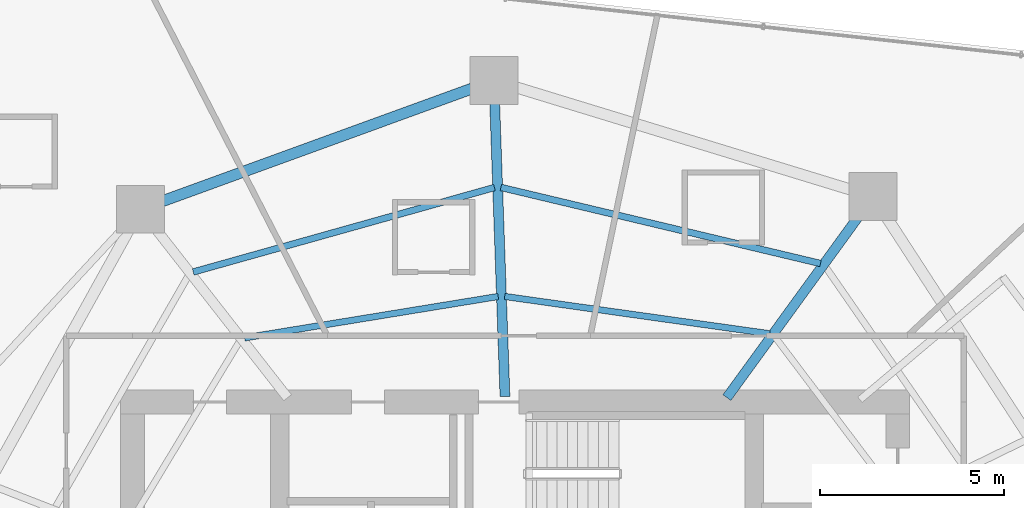
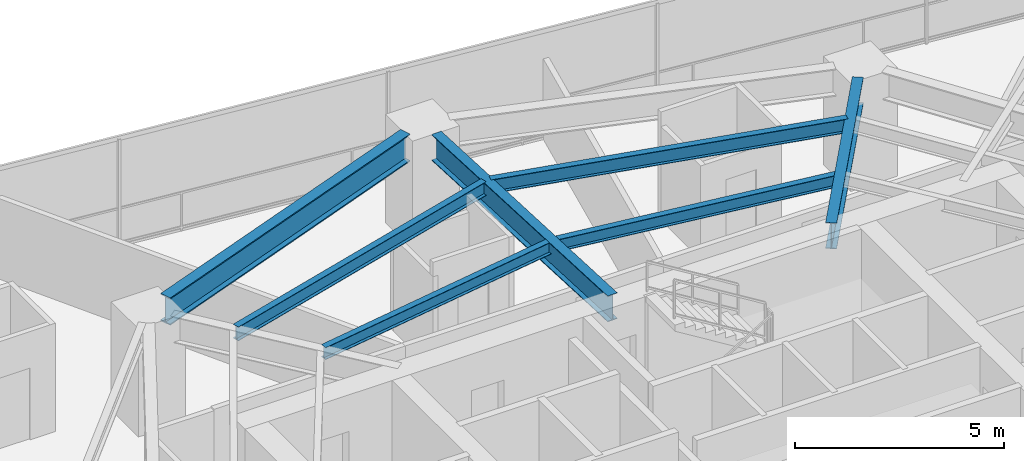
# One storey, part 17 of 28: 7 beams.
"""IFC4 building model written with IfcOpenShell, lengths in metres."""

from ifc_helpers import new_model, si_unit, direction, frame, origin, origin_2d, place, context, subcontext, project, spatial, i_section, extrude, material, material_profile, profile_set, type_object, element, save


model = new_model("IFC4")

# Units and contexts
model_context = context("Model", 3, precision=1e-05, world=origin(), true_north=direction((0.0, 1.0)))
body_context = subcontext(model_context, "Body", "Model", "MODEL_VIEW")
ifc_project = project(units=[si_unit("LENGTHUNIT", "METRE"), si_unit("AREAUNIT", "SQUARE_METRE"), si_unit("VOLUMEUNIT", "CUBIC_METRE"), si_unit("PLANEANGLEUNIT", "RADIAN"), si_unit("MASSUNIT", "GRAM", prefix="KILO")], contexts=[model_context])

# Site, building, storey
site_placement = place(None, origin())
site = spatial("IfcSite", under=ifc_project, at=site_placement, CompositionType="ELEMENT")
building_placement = place(site_placement, origin())
building = spatial("IfcBuilding", under=site, at=building_placement, Name="Qarnah Convention Tower", CompositionType="ELEMENT")
storey_placement = place(building_placement, frame((0.0, 0.0, 44.25)))
storey = spatial("IfcBuildingStorey", under=building, at=storey_placement, Name="L10", CompositionType="ELEMENT", Elevation=44.25)

# Beams
ifc_material = material(Name="Structural steel S355JR", Category="steel")
ifc_material_profile_1 = material_profile(ifc_material, i_section(OverallWidth=0.172119140625, OverallDepth=0.35595703125, WebThickness=0.007080078125, FlangeThickness=0.011962890625, at=origin_2d()), Name="W360X51")
ifc_profile_set_1 = profile_set([ifc_material_profile_1], Name="Structural steel S355JR")
beam_type_1 = type_object("IfcBeamType", Name="BM-JST-W360", PredefinedType="JOIST", material=ifc_profile_set_1)
beam_1_placement = place(storey_placement, frame((44.117919921875, 36.056884765625, 2.991943359375), z_axis=(-0.990232771612, 0.139424022414, 0.0), x_axis=(-0.139424022414, -0.990232771612, 0.0)))
element("IfcBeam", 1, at=beam_1_placement, inside=storey, type_object=beam_type_1, Name="L10 joist BM-L10-IJST-02", PredefinedType="JOIST", context=body_context, shape_type="SweptSolid", body=[
    extrude(i_section(OverallWidth=0.172119140625, OverallDepth=0.35595703125, WebThickness=0.007080078125, FlangeThickness=0.011962890625, at=origin_2d()), origin(), (0.0, 0.0, 1.0), 7.27392578125),
])
beam_2_placement = place(storey_placement, frame((36.737060546875, 37.070068359375, 2.991943359375), z_axis=(-0.986919717952, -0.161212500503, 0.0), x_axis=(0.161212500503, -0.986919717952, 0.0)))
element("IfcBeam", 2, at=beam_2_placement, inside=storey, type_object=beam_type_1, Name="L10 joist BM-L10-IJST-03", PredefinedType="JOIST", context=body_context, shape_type="SweptSolid", body=[
    extrude(i_section(OverallWidth=0.172119140625, OverallDepth=0.35595703125, WebThickness=0.007080078125, FlangeThickness=0.011962890625, at=origin_2d()), origin(), (0.0, 0.0, 1.0), 6.984375),
])
ifc_material_profile_2 = material_profile(ifc_material, i_section(OverallWidth=0.177978515625, OverallDepth=0.407958984375, WebThickness=0.008056640625, FlangeThickness=0.012939453125, at=origin_2d()), Name="W410X60")
ifc_profile_set_2 = profile_set([ifc_material_profile_2], Name="Structural steel S355JR")
beam_type_2 = type_object("IfcBeamType", Name="BM-JST-W410", PredefinedType="JOIST", material=ifc_profile_set_2)
beam_3_placement = place(storey_placement, frame((45.5, 37.966064453125, 2.966064453125), z_axis=(-0.972805041554, 0.231625454401, 0.0), x_axis=(-0.231625454401, -0.972805041554, 0.0)))
element("IfcBeam", 3, at=beam_3_placement, inside=storey, type_object=beam_type_2, Name="L10 joist BM-L10-SJST-02", PredefinedType="JOIST", context=body_context, shape_type="SweptSolid", body=[
    extrude(i_section(OverallWidth=0.177978515625, OverallDepth=0.407958984375, WebThickness=0.008056640625, FlangeThickness=0.012939453125, at=origin_2d()), origin(), (0.0, 0.0, 1.0), 8.931884765625),
])
beam_4_placement = place(storey_placement, frame((36.635986328125, 40.031982421875, 2.966064453125), z_axis=(-0.962855992526, -0.270015439665, 0.0), x_axis=(0.270015439665, -0.962855992526, 0.0)))
element("IfcBeam", 4, at=beam_4_placement, inside=storey, type_object=beam_type_2, Name="L10 joist BM-L10-SJST-03", PredefinedType="JOIST", context=body_context, shape_type="SweptSolid", body=[
    extrude(i_section(OverallWidth=0.177978515625, OverallDepth=0.407958984375, WebThickness=0.008056640625, FlangeThickness=0.012939453125, at=origin_2d()), origin(), (0.0, 0.0, 1.0), 8.5029296875),
])
ifc_material_profile_3 = material_profile(ifc_material, i_section(OverallWidth=0.26806640625, OverallDepth=0.760009765625, WebThickness=0.014892578125, FlangeThickness=0.02197265625, at=origin_2d()), Name="W760X185")
ifc_profile_set_3 = profile_set([ifc_material_profile_3], Name="Structural steel S355JR")
beam_type_3 = type_object("IfcBeamType", Name="BM-RAD-W760", PredefinedType="BEAM", material=ifc_profile_set_3)
beam_5_placement = place(storey_placement, frame((42.955078125, 34.321044921875, 2.7900390625), z_axis=(0.587873224058, 0.808953071837, 0.0), x_axis=(-0.808953071837, 0.587873224058, 0.0)))
element("IfcBeam", 5, at=beam_5_placement, inside=storey, type_object=beam_type_3, Name="L10 beam BM-L10-RAD-02", PredefinedType="BEAM", context=body_context, shape_type="SweptSolid", body=[
    extrude(i_section(OverallWidth=0.26806640625, OverallDepth=0.760009765625, WebThickness=0.014892578125, FlangeThickness=0.02197265625, at=origin_2d()), origin(), (0.0, 0.0, 1.0), 6.12890625),
])
beam_6_placement = place(storey_placement, frame((36.922119140625, 34.35009765625, 2.7900390625), z_axis=(-0.034913066254, 0.999390353068, 0.0), x_axis=(-0.999390353068, -0.034913066254, 0.0)))
element("IfcBeam", 6, at=beam_6_placement, inside=storey, type_object=beam_type_3, Name="L10 beam BM-L10-RAD-03", PredefinedType="BEAM", context=body_context, shape_type="SweptSolid", body=[
    extrude(i_section(OverallWidth=0.26806640625, OverallDepth=0.760009765625, WebThickness=0.014892578125, FlangeThickness=0.02197265625, at=origin_2d()), origin(), (0.0, 0.0, 1.0), 7.96484375),
])
ifc_material_profile_4 = material_profile(ifc_material, i_section(OverallWidth=0.300048828125, OverallDepth=0.800048828125, WebThickness=0.01806640625, FlangeThickness=0.032958984375, at=origin_2d()), Name="HEB800")
ifc_profile_set_4 = profile_set([ifc_material_profile_4], Name="Structural steel S355JR")
beam_type_4 = type_object("IfcBeamType", Name="BM-RING-HEB800", PredefinedType="BEAM", material=ifc_profile_set_4)
beam_7_placement = place(storey_placement, frame((36.02099609375, 42.720947265625, 2.77001953125), z_axis=(-0.939712145037, -0.341966496121, 0.0), x_axis=(0.341966496121, -0.939712145037, 0.0)))
element("IfcBeam", 7, at=beam_7_placement, inside=storey, type_object=beam_type_4, Name="L10 beam BM-L10-SPN-03", PredefinedType="BEAM", context=body_context, shape_type="SweptSolid", body=[
    extrude(i_section(OverallWidth=0.300048828125, OverallDepth=0.800048828125, WebThickness=0.01806640625, FlangeThickness=0.032958984375, at=origin_2d()), origin(), (0.0, 0.0, 1.0), 8.948486328125),
])

save(model, "model.ifc")
